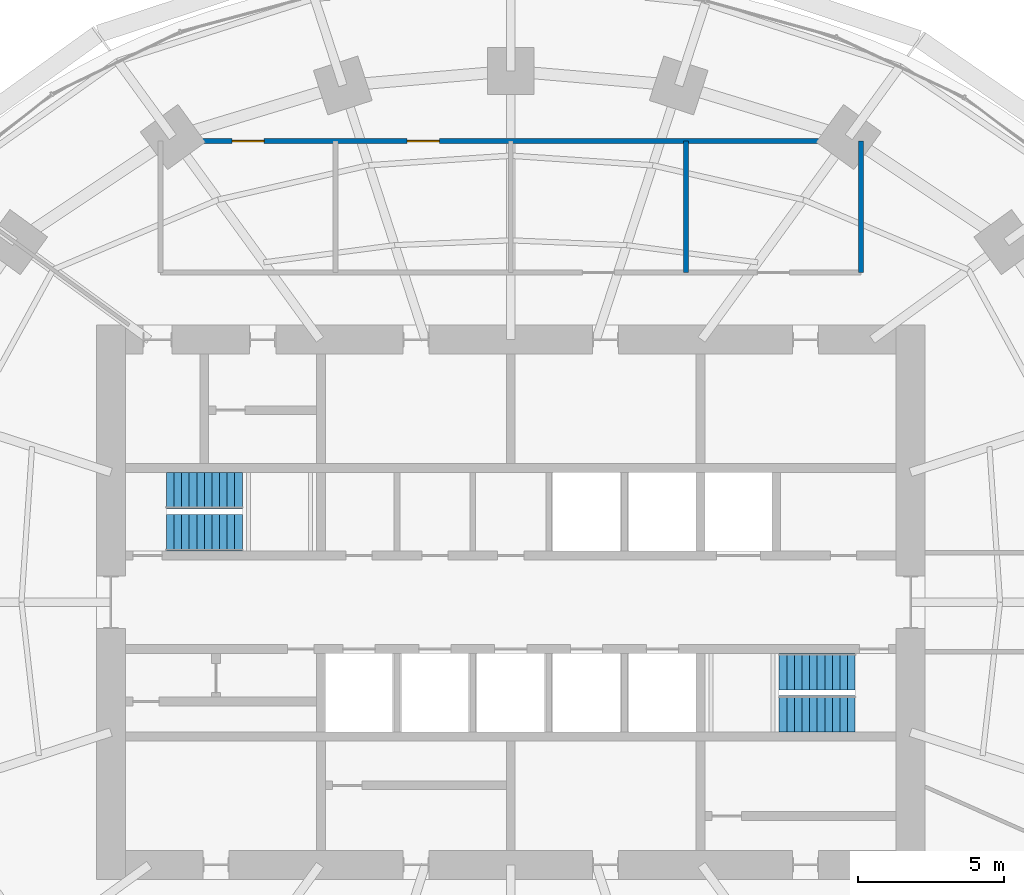
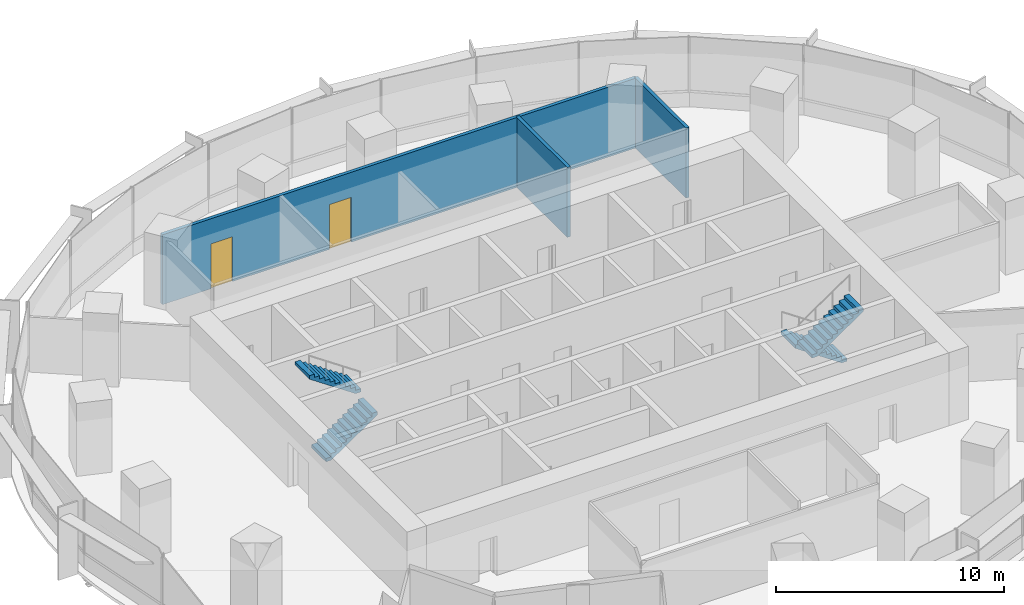
# One storey, part 12 of 14: 4 stair flights, 3 walls, 2 doors, 2 openings, 2 elements without a shape of their own.
"""IFC4 building model written with IfcOpenShell, lengths in metres."""

from ifc_helpers import new_model, si_unit, direction, frame, frame_2d, origin, place, context, subcontext, project, spatial, polyline, rectangle, outline, extrude, material, layer, layer_set, type_object, element, fill, aggregate, save


model = new_model("IFC4")

# Units and contexts
model_context = context("Model", 3, precision=1e-05, world=origin(), true_north=direction((0.0, 1.0)))
body_context = subcontext(model_context, "Body", "Model", "MODEL_VIEW")
ifc_project = project(units=[si_unit("LENGTHUNIT", "METRE"), si_unit("AREAUNIT", "SQUARE_METRE"), si_unit("VOLUMEUNIT", "CUBIC_METRE"), si_unit("PLANEANGLEUNIT", "RADIAN"), si_unit("MASSUNIT", "GRAM", prefix="KILO")], contexts=[model_context])

# Site, building, storey
site_placement = place(None, origin())
site = spatial("IfcSite", under=ifc_project, at=site_placement, CompositionType="ELEMENT")
building_placement = place(site_placement, origin())
building = spatial("IfcBuilding", under=site, at=building_placement, Name="Marramba Exchange Tower", CompositionType="ELEMENT")
storey_placement = place(building_placement, frame((0.0, 0.0, 158.699951171875)))
storey = spatial("IfcBuildingStorey", under=building, at=storey_placement, Name="L38", CompositionType="ELEMENT", Elevation=158.699951171875)

# Walls
ifc_material_1 = material(Name="Plasterboard on staggered double steel studs, acoustic insulation", Category="steel")
ifc_layer = layer(ifc_material_1, 0.169921875)
ifc_layer_set = layer_set([ifc_layer], Name="Acoustic partition 170")
wall_type = type_object("IfcWallType", Name="Acoustic partition 170", PredefinedType="PARTITIONING", material=ifc_layer_set)
for number, where, z_axis, x_axis, name in (
    (1, (12.0, 15.800048828125, 0.0), (0.0, 0.0, 1.0), (0.0, -1.0, 0.0), "Acoustic partition L38 15"),
    (2, (6.0, 15.800048828125, 0.0), (0.0, 0.0, 1.0), (0.0, -1.0, 0.0), "Acoustic partition L38 16"),
):
    element("IfcWall", number, at=place(storey_placement, frame(where, z_axis=z_axis, x_axis=x_axis)), inside=storey, type_object=wall_type, Name=name, PredefinedType="PARTITIONING", context=body_context, shape_type="SweptSolid", body=[
        extrude(rectangle(XDim=4.5, YDim=0.169921875, at=frame_2d((2.25, 0.0))), origin(), (0.0, 0.0, 1.0), 3.739990234375),
    ])

# Wall, openings, doors
wall_placement = place(storey_placement, frame((-12.0, 15.800048828125, 0.0), z_axis=(0.0, 0.0, 1.0), x_axis=(1.0, 0.0, 0.0)))
wall = element("IfcWall", 3, at=wall_placement, inside=storey, type_object=wall_type, Name="Acoustic partition L38 17", PredefinedType="PARTITIONING", context=body_context, shape_type="SweptSolid", body=[
    extrude(rectangle(XDim=24.0, YDim=0.169921875, at=frame_2d((12.0, 0.0))), origin(), (0.0, 0.0, 1.0), 3.739990234375),
])
opening_1_placement = place(wall_placement, frame((2.449951171875, 0.0, 0.0)))
opening_1 = element("IfcOpeningElement", 4, at=opening_1_placement, cuts=wall, Name="Opening D15", PredefinedType="OPENING", context=body_context, shape_type="SweptSolid", body=[
    extrude(rectangle(XDim=1.10009765625, YDim=2.39990234375, at=frame_2d((0.550048828125, 1.199951171875))), frame((0.0, 0.094970703125, 0.0), z_axis=(0.0, -1.0, 0.0), x_axis=(1.0, 0.0, 0.0)), (0.0, 0.0, 1.0), 0.18994140625),
])
opening_2_placement = place(wall_placement, frame((8.449951171875, 0.0, 0.0)))
opening_2 = element("IfcOpeningElement", 5, at=opening_2_placement, cuts=wall, Name="Opening D15", PredefinedType="OPENING", context=body_context, shape_type="SweptSolid", body=[
    extrude(rectangle(XDim=1.10009765625, YDim=2.39990234375, at=frame_2d((0.550048828125, 1.199951171875))), frame((0.0, 0.094970703125, 0.0), z_axis=(0.0, -1.0, 0.0), x_axis=(1.0, 0.0, 0.0)), (0.0, 0.0, 1.0), 0.18994140625),
])
ifc_material_2 = material(Name="Timber door", Category="wood")
door_type = type_object("IfcDoorType", Name="Glazed meeting room door 1100x2400", OperationType="SINGLE_SWING_LEFT", PredefinedType="DOOR", material=ifc_material_2)
door_1_placement = place(opening_1_placement, frame((1.10009765625, 0.0, 0.0), z_axis=(0.0, 0.0, 1.0), x_axis=(-1.0, 0.0, 0.0)))
door_1 = element("IfcDoor", 6, at=door_1_placement, inside=storey, type_object=door_type, Name="D15 Meeting Room 1 L38", OperationType="SINGLE_SWING_RIGHT", OverallHeight=2.39990234375, OverallWidth=1.10009765625, PredefinedType="DOOR", context=body_context, shape_type="SweptSolid", body=[
    extrude(rectangle(XDim=1.10009765625, YDim=2.39990234375, at=frame_2d((0.550048828125, 1.199951171875))), frame((0.0, 0.025146484375, 0.0), z_axis=(0.0, -1.0, 0.0), x_axis=(1.0, 0.0, 0.0)), (0.0, 0.0, 1.0), 0.050048828125),
])
fill(opening_1, door_1)
door_2_placement = place(opening_2_placement, frame((1.10009765625, 0.0, 0.0), z_axis=(0.0, 0.0, 1.0), x_axis=(-1.0, 0.0, 0.0)))
door_2 = element("IfcDoor", 7, at=door_2_placement, inside=storey, type_object=door_type, Name="D15 Meeting Room 2 L38", OperationType="SINGLE_SWING_RIGHT", OverallHeight=2.39990234375, OverallWidth=1.10009765625, PredefinedType="DOOR", context=body_context, shape_type="SweptSolid", body=[
    extrude(rectangle(XDim=1.10009765625, YDim=2.39990234375, at=frame_2d((0.550048828125, 1.199951171875))), frame((0.0, 0.025146484375, 0.0), z_axis=(0.0, -1.0, 0.0), x_axis=(1.0, 0.0, 0.0)), (0.0, 0.0, 1.0), 0.050048828125),
])
fill(opening_2, door_2)

# Stair, stair flights
ifc_material_3 = material(Name="Concrete N40 (40 MPa)", Category="concrete")
stair_type_1 = type_object("IfcStairType", Name="Exit stair ST1 3900 x 1250", PredefinedType="HALF_TURN_STAIR", material=ifc_material_3)
stair_1_placement = place(storey_placement, origin())
stair_1 = element("IfcStair", 8, at=stair_1_placement, inside=storey, type_object=stair_type_1, Name="Exit stair ST1 L38", PredefinedType="HALF_TURN_STAIR")
stair_flight_type_1 = type_object("IfcStairFlightType", Name="ST1 stair flight 1773 riser 1250 wide", PredefinedType="STRAIGHT", material=ifc_material_3)
stair_flight_1_placement = place(storey_placement, frame((-11.800048828125, 2.375, 0.0), z_axis=(0.0, 0.0, 1.0), x_axis=(1.0, 0.0, 0.0)))
stair_flight_1 = element("IfcStairFlight", 9, at=stair_flight_1_placement, type_object=stair_flight_type_1, Name="ST1 flight 1", NumberOfRisers=11, NumberOfTreads=10, PredefinedType="STRAIGHT", RiserHeight=0.177272727, TreadLength=0.26, context=body_context, shape_type="SweptSolid", body=[
    extrude(outline(polyline([(0.0, 0.0), (0.0, 0.17724609375), (0.260009765625, 0.17724609375), (0.260009765625, 0.3544921875), (0.52001953125, 0.3544921875), (0.52001953125, 0.53173828125), (0.780029296875, 0.53173828125), (0.780029296875, 0.708984375), (1.0400390625, 0.708984375), (1.0400390625, 0.886474609375), (1.300048828125, 0.886474609375), (1.300048828125, 1.063720703125), (1.56005859375, 1.063720703125), (1.56005859375, 1.240966796875), (1.820068359375, 1.240966796875), (1.820068359375, 1.418212890625), (2.080078125, 1.418212890625), (2.080078125, 1.595458984375), (2.340087890625, 1.595458984375), (2.340087890625, 1.772705078125), (2.60009765625, 1.772705078125), (2.60009765625, 1.949951171875), (2.60009765625, 1.59130859375), (0.26611328125, 0.0), (0.0, 0.0)])), frame((0.0, 0.625, 0.0), z_axis=(0.0, -1.0, 0.0), x_axis=(1.0, 0.0, 0.0)), (0.0, 0.0, 1.0), 1.25),
])
stair_flight_2_placement = place(storey_placement, frame((-9.199951171875, 3.824951171875, 1.949951171875), z_axis=(0.0, 0.0, 1.0), x_axis=(-1.0, 0.0, 0.0)))
stair_flight_2 = element("IfcStairFlight", 10, at=stair_flight_2_placement, type_object=stair_flight_type_1, Name="ST1 flight 2", NumberOfRisers=11, NumberOfTreads=10, PredefinedType="STRAIGHT", RiserHeight=0.177272727, TreadLength=0.26, context=body_context, shape_type="SweptSolid", body=[
    extrude(outline(polyline([(0.0, 0.0), (0.0, 0.17724609375), (0.260009765625, 0.17724609375), (0.260009765625, 0.3544921875), (0.52001953125, 0.3544921875), (0.52001953125, 0.53173828125), (0.780029296875, 0.53173828125), (0.780029296875, 0.708984375), (1.0400390625, 0.708984375), (1.0400390625, 0.886474609375), (1.300048828125, 0.886474609375), (1.300048828125, 1.063720703125), (1.56005859375, 1.063720703125), (1.56005859375, 1.240966796875), (1.820068359375, 1.240966796875), (1.820068359375, 1.418212890625), (2.080078125, 1.418212890625), (2.080078125, 1.595458984375), (2.340087890625, 1.595458984375), (2.340087890625, 1.772705078125), (2.60009765625, 1.772705078125), (2.60009765625, 1.949951171875), (2.60009765625, 1.59130859375), (0.26611328125, 0.0), (0.0, 0.0)])), frame((0.0, 0.625, 0.0), z_axis=(0.0, -1.0, 0.0), x_axis=(1.0, 0.0, 0.0)), (0.0, 0.0, 1.0), 1.25),
])
aggregate(stair_1, [stair_flight_1, stair_flight_2])

stair_type_2 = type_object("IfcStairType", Name="Exit stair ST2 3900 x 1250", PredefinedType="HALF_TURN_STAIR", material=ifc_material_3)
stair_2_placement = place(storey_placement, origin())
stair_2 = element("IfcStair", 11, at=stair_2_placement, inside=storey, type_object=stair_type_2, Name="Exit stair ST2 L38", PredefinedType="HALF_TURN_STAIR")
stair_flight_type_2 = type_object("IfcStairFlightType", Name="ST2 stair flight 1773 riser 1250 wide", PredefinedType="STRAIGHT", material=ifc_material_3)
stair_flight_3_placement = place(storey_placement, frame((11.800048828125, -2.375, 0.0), z_axis=(0.0, 0.0, 1.0), x_axis=(-1.0, 0.0, 0.0)))
stair_flight_3 = element("IfcStairFlight", 12, at=stair_flight_3_placement, type_object=stair_flight_type_2, Name="ST2 flight 1", NumberOfRisers=11, NumberOfTreads=10, PredefinedType="STRAIGHT", RiserHeight=0.177272727, TreadLength=0.26, context=body_context, shape_type="SweptSolid", body=[
    extrude(outline(polyline([(0.0, 0.0), (0.0, 0.17724609375), (0.260009765625, 0.17724609375), (0.260009765625, 0.3544921875), (0.52001953125, 0.3544921875), (0.52001953125, 0.53173828125), (0.780029296875, 0.53173828125), (0.780029296875, 0.708984375), (1.0400390625, 0.708984375), (1.0400390625, 0.886474609375), (1.300048828125, 0.886474609375), (1.300048828125, 1.063720703125), (1.56005859375, 1.063720703125), (1.56005859375, 1.240966796875), (1.820068359375, 1.240966796875), (1.820068359375, 1.418212890625), (2.080078125, 1.418212890625), (2.080078125, 1.595458984375), (2.340087890625, 1.595458984375), (2.340087890625, 1.772705078125), (2.60009765625, 1.772705078125), (2.60009765625, 1.949951171875), (2.60009765625, 1.59130859375), (0.26611328125, 0.0), (0.0, 0.0)])), frame((0.0, 0.625, 0.0), z_axis=(0.0, -1.0, 0.0), x_axis=(1.0, 0.0, 0.0)), (0.0, 0.0, 1.0), 1.25),
])
stair_flight_4_placement = place(storey_placement, frame((9.199951171875, -3.824951171875, 1.949951171875), z_axis=(0.0, 0.0, 1.0), x_axis=(1.0, 0.0, 0.0)))
stair_flight_4 = element("IfcStairFlight", 13, at=stair_flight_4_placement, type_object=stair_flight_type_2, Name="ST2 flight 2", NumberOfRisers=11, NumberOfTreads=10, PredefinedType="STRAIGHT", RiserHeight=0.177272727, TreadLength=0.26, context=body_context, shape_type="SweptSolid", body=[
    extrude(outline(polyline([(0.0, 0.0), (0.0, 0.17724609375), (0.260009765625, 0.17724609375), (0.260009765625, 0.3544921875), (0.52001953125, 0.3544921875), (0.52001953125, 0.53173828125), (0.780029296875, 0.53173828125), (0.780029296875, 0.708984375), (1.0400390625, 0.708984375), (1.0400390625, 0.886474609375), (1.300048828125, 0.886474609375), (1.300048828125, 1.063720703125), (1.56005859375, 1.063720703125), (1.56005859375, 1.240966796875), (1.820068359375, 1.240966796875), (1.820068359375, 1.418212890625), (2.080078125, 1.418212890625), (2.080078125, 1.595458984375), (2.340087890625, 1.595458984375), (2.340087890625, 1.772705078125), (2.60009765625, 1.772705078125), (2.60009765625, 1.949951171875), (2.60009765625, 1.59130859375), (0.26611328125, 0.0), (0.0, 0.0)])), frame((0.0, 0.625, 0.0), z_axis=(0.0, -1.0, 0.0), x_axis=(1.0, 0.0, 0.0)), (0.0, 0.0, 1.0), 1.25),
])
aggregate(stair_2, [stair_flight_3, stair_flight_4])

save(model, "model.ifc")
